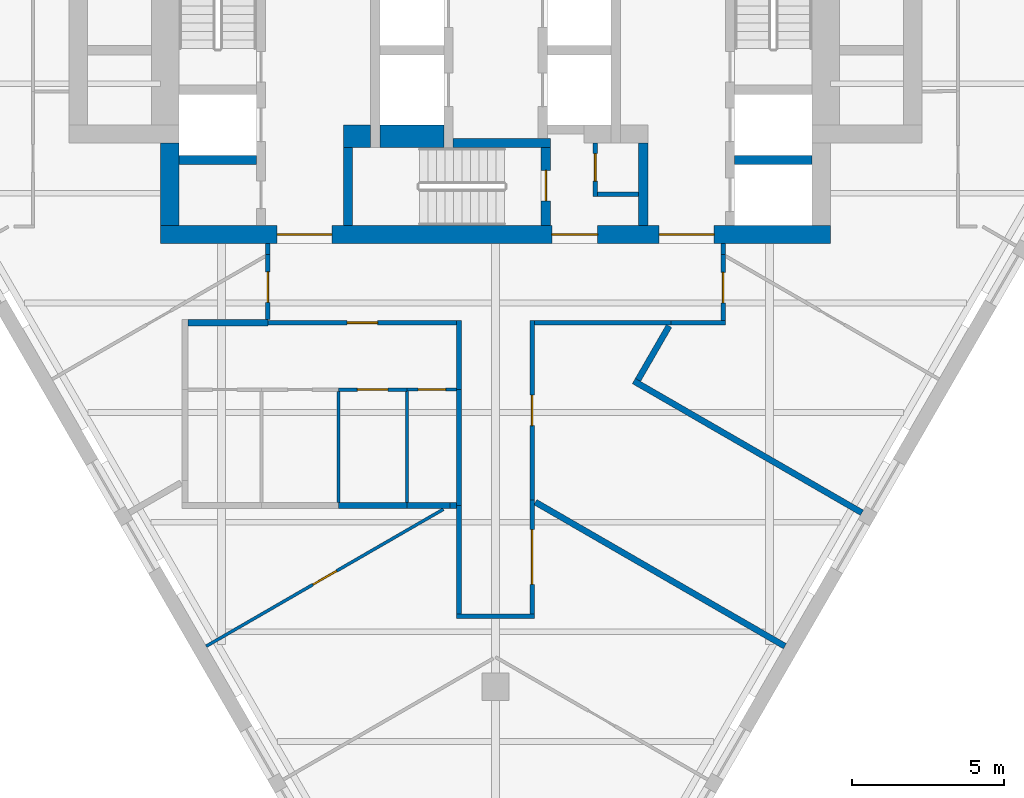
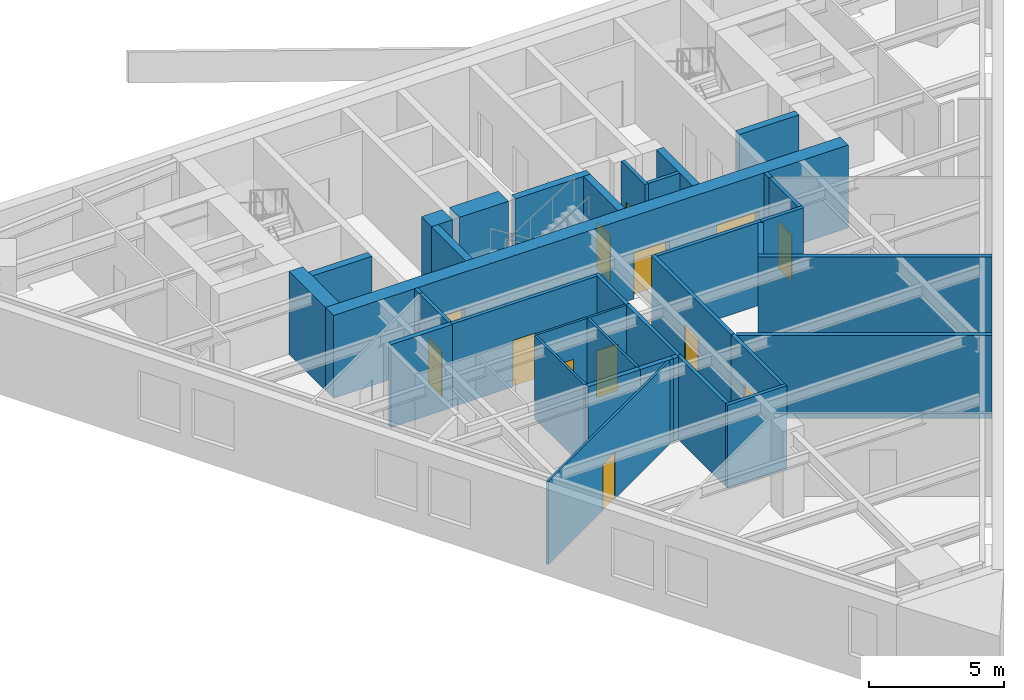
# One storey, part 3 of 7: 37 walls, 13 doors, 13 openings.
"""IFC4 building model written with IfcOpenShell, lengths in metres."""

from ifc_helpers import new_model, si_unit, direction, frame, frame_2d, origin, place, context, subcontext, project, spatial, rectangle, extrude, material, layer, layer_set, type_object, element, fill, save


model = new_model("IFC4")

# Units and contexts
model_context = context("Model", 3, precision=1e-05, world=origin(), true_north=direction((0.0, 1.0)))
body_context = subcontext(model_context, "Body", "Model", "MODEL_VIEW")
ifc_project = project(units=[si_unit("LENGTHUNIT", "METRE"), si_unit("AREAUNIT", "SQUARE_METRE"), si_unit("VOLUMEUNIT", "CUBIC_METRE"), si_unit("PLANEANGLEUNIT", "RADIAN"), si_unit("MASSUNIT", "GRAM", prefix="KILO")], contexts=[model_context])

# Site, building, storey
site_placement = place(None, origin())
site = spatial("IfcSite", under=ifc_project, at=site_placement, CompositionType="ELEMENT")
building_placement = place(site_placement, origin())
building = spatial("IfcBuilding", under=site, at=building_placement, Name="Aloe Facet Convention Tower", CompositionType="ELEMENT")
storey_placement = place(building_placement, frame((0.0, 0.0, 132.5)))
storey = spatial("IfcBuildingStorey", under=building, at=storey_placement, Name="L33", CompositionType="ELEMENT", Elevation=132.5)

# Wall, opening, door
ifc_material_1 = material(Name="Concrete blockwork partition", Category="masonry")
ifc_layer_1 = layer(ifc_material_1, 0.14990234375)
ifc_layer_set_1 = layer_set([ifc_layer_1], Name="CR-W-PART150")
wall_type_1 = type_object("IfcWallType", Name="CR-W-PART150", PredefinedType="PARTITIONING", material=ifc_layer_set_1)
wall_1_placement = place(storey_placement, frame((83.27490234375, 125.85009765625, 0.0), z_axis=(0.0, 0.0, 1.0), x_axis=(0.0, -1.0, 0.0)))
wall_1 = element("IfcWall", 1, at=wall_1_placement, inside=storey, type_object=wall_type_1, Name="Core partition L33-028", PredefinedType="PARTITIONING", context=body_context, shape_type="SweptSolid", body=[
    extrude(rectangle(XDim=1.75, YDim=0.14990234375, at=frame_2d((0.875, 0.0))), origin(), (0.0, 0.0, 1.0), 3.75),
])
opening_1_placement = place(wall_1_placement, frame((0.35009765625, 0.0, 0.0)))
opening_1 = element("IfcOpeningElement", 2, at=opening_1_placement, cuts=wall_1, Name="Opening L33-CD12", PredefinedType="OPENING", context=body_context, shape_type="SweptSolid", body=[
    extrude(rectangle(XDim=0.89990234375, YDim=2.10009765625, at=frame_2d((0.449951171875, 1.050048828125))), frame((0.0, 0.0849609375, 0.0), z_axis=(0.0, -1.0, 0.0), x_axis=(1.0, 0.0, 0.0)), (0.0, 0.0, 1.0), 0.169921875),
])
ifc_material_2 = material(Name="Steel fire-resisting door set FD60", Category="steel")
door_type_1 = type_object("IfcDoorType", Name="CR-D-REFUGE-900-FD60-SRIGHT", OperationType="SINGLE_SWING_RIGHT", PredefinedType="DOOR", material=ifc_material_2)
door_1_placement = place(opening_1_placement, origin())
door_1 = element("IfcDoor", 3, at=door_1_placement, inside=storey, type_object=door_type_1, Name="Core door L33-CD12", OperationType="SINGLE_SWING_RIGHT", OverallHeight=2.10009765625, OverallWidth=0.89990234375, PredefinedType="DOOR", context=body_context, shape_type="SweptSolid", body=[
    extrude(rectangle(XDim=0.89990234375, YDim=2.10009765625, at=frame_2d((0.449951171875, 1.050048828125))), frame((0.0, 0.02490234375, 0.0), z_axis=(0.0, -1.0, 0.0), x_axis=(1.0, 0.0, 0.0)), (0.0, 0.0, 1.0), 0.050048828125),
])
fill(opening_1, door_1)

# Walls
wall_2_placement = place(storey_placement, frame((83.35009765625, 124.175048828125, 0.0), z_axis=(0.0, 0.0, 1.0), x_axis=(1.0, 0.0, 0.0)))
element("IfcWall", 4, at=wall_2_placement, inside=storey, type_object=wall_type_1, Name="Core partition L33-029", PredefinedType="PARTITIONING", context=body_context, shape_type="SweptSolid", body=[
    extrude(rectangle(XDim=1.349853515625, YDim=0.14990234375, at=frame_2d((0.6748046875, 0.0))), origin(), (0.0, 0.0, 1.0), 3.75),
])
ifc_material_3 = material(Name="Concrete C60/75", Category="concrete")
ifc_layer_2 = layer(ifc_material_3, 0.300048828125)
ifc_layer_set_2 = layer_set([ifc_layer_2], Name="CR-W-RC300-C6075")
wall_type_2 = type_object("IfcWallType", Name="CR-W-RC300-C6075", PredefinedType="SOLIDWALL", material=ifc_layer_set_2)
wall_3_placement = place(storey_placement, frame((69.60009765625, 125.300048828125, 0.0), z_axis=(0.0, 0.0, 1.0), x_axis=(1.0, 0.0, 0.0)))
element("IfcWall", 5, at=wall_3_placement, inside=storey, type_object=wall_type_2, Name="Core wall L33-011", PredefinedType="SOLIDWALL", context=body_context, shape_type="SweptSolid", body=[
    extrude(rectangle(XDim=2.5498046875, YDim=0.300048828125, at=frame_2d((1.27490234375, 0.0))), origin(), (0.0, 0.0, 1.0), 3.75),
])
wall_4_placement = place(storey_placement, frame((75.14990234375, 125.699951171875, 0.0), z_axis=(0.0, 0.0, 1.0), x_axis=(0.0, -1.0, 0.0)))
element("IfcWall", 6, at=wall_4_placement, inside=storey, type_object=wall_type_2, Name="Core wall L33-015", PredefinedType="SOLIDWALL", context=body_context, shape_type="SweptSolid", body=[
    extrude(rectangle(XDim=2.550048828125, YDim=0.300048828125, at=frame_2d((1.27490234375, 0.0))), origin(), (0.0, 0.0, 1.0), 3.75),
])
wall_5_placement = place(storey_placement, frame((78.60009765625, 125.85009765625, 0.0), z_axis=(0.0, 0.0, 1.0), x_axis=(1.0, 0.0, 0.0)))
element("IfcWall", 7, at=wall_5_placement, inside=storey, type_object=wall_type_2, Name="Core wall L33-021", PredefinedType="SOLIDWALL", context=body_context, shape_type="SweptSolid", body=[
    extrude(rectangle(XDim=3.199951171875, YDim=0.300048828125, at=frame_2d((1.60009765625, 0.0))), origin(), (0.0, 0.0, 1.0), 3.75),
])

# Wall, opening, door
wall_6_placement = place(storey_placement, frame((81.64990234375, 125.699951171875, 0.0), z_axis=(0.0, 0.0, 1.0), x_axis=(0.0, -1.0, 0.0)))
wall_6 = element("IfcWall", 8, at=wall_6_placement, inside=storey, type_object=wall_type_2, Name="Core wall L33-023", PredefinedType="SOLIDWALL", context=body_context, shape_type="SweptSolid", body=[
    extrude(rectangle(XDim=2.550048828125, YDim=0.300048828125, at=frame_2d((1.27490234375, 0.0))), origin(), (0.0, 0.0, 1.0), 3.75),
])
opening_2_placement = place(wall_6_placement, frame((0.75, 0.0, 0.0)))
opening_2 = element("IfcOpeningElement", 9, at=opening_2_placement, cuts=wall_6, Name="Opening L33-CD18", PredefinedType="OPENING", context=body_context, shape_type="SweptSolid", body=[
    extrude(rectangle(XDim=1.0, YDim=2.10009765625, at=frame_2d((0.5, 1.050048828125))), frame((0.0, 0.16015625, 0.0), z_axis=(0.0, -1.0, 0.0), x_axis=(1.0, 0.0, 0.0)), (0.0, 0.0, 1.0), 0.320068359375),
])
ifc_material_4 = material(Name="Steel fire-resisting door set FD120", Category="steel")
door_type_2 = type_object("IfcDoorType", Name="CR-D-STAIR-1000-FD120-SLEFT", OperationType="SINGLE_SWING_LEFT", PredefinedType="DOOR", material=ifc_material_4)
door_2_placement = place(opening_2_placement, origin())
door_2 = element("IfcDoor", 10, at=door_2_placement, inside=storey, type_object=door_type_2, Name="Core door L33-CD18", OperationType="SINGLE_SWING_LEFT", OverallHeight=2.10009765625, OverallWidth=1.0, PredefinedType="DOOR", context=body_context, shape_type="SweptSolid", body=[
    extrude(rectangle(XDim=1.0, YDim=2.10009765625, at=frame_2d((0.5, 1.050048828125))), frame((0.0, 0.02490234375, 0.0), z_axis=(0.0, -1.0, 0.0), x_axis=(1.0, 0.0, 0.0)), (0.0, 0.0, 1.0), 0.050048828125),
])
fill(opening_2, door_2)

# Walls
wall_7_placement = place(storey_placement, frame((84.85009765625, 125.85009765625, 0.0), z_axis=(0.0, 0.0, 1.0), x_axis=(0.0, -1.0, 0.0)))
element("IfcWall", 11, at=wall_7_placement, inside=storey, type_object=wall_type_2, Name="Core wall L33-033", PredefinedType="SOLIDWALL", context=body_context, shape_type="SweptSolid", body=[
    extrude(rectangle(XDim=2.7001953125, YDim=0.300048828125, at=frame_2d((1.35009765625, 0.0))), origin(), (0.0, 0.0, 1.0), 3.75),
])
wall_8_placement = place(storey_placement, frame((87.85009765625, 125.300048828125, 0.0), z_axis=(0.0, 0.0, 1.0), x_axis=(1.0, 0.0, 0.0)))
element("IfcWall", 12, at=wall_8_placement, inside=storey, type_object=wall_type_2, Name="Core wall L33-036", PredefinedType="SOLIDWALL", context=body_context, shape_type="SweptSolid", body=[
    extrude(rectangle(XDim=2.5498046875, YDim=0.300048828125, at=frame_2d((1.27490234375, 0.0))), origin(), (0.0, 0.0, 1.0), 3.75),
])
ifc_material_5 = material(Name="Concrete C60/75", Category="concrete")
ifc_layer_3 = layer(ifc_material_5, 0.60009765625)
ifc_layer_set_3 = layer_set([ifc_layer_3], Name="CR-W-RC600-C6075")
wall_type_3 = type_object("IfcWallType", Name="CR-W-RC600-C6075", PredefinedType="SOLIDWALL", material=ifc_layer_set_3)
wall_9_placement = place(storey_placement, frame((69.300048828125, 125.85009765625, 0.0), z_axis=(0.0, 0.0, 1.0), x_axis=(0.0, -1.0, 0.0)))
element("IfcWall", 13, at=wall_9_placement, inside=storey, type_object=wall_type_3, Name="Core wall L33-008", PredefinedType="SOLIDWALL", context=body_context, shape_type="SweptSolid", body=[
    extrude(rectangle(XDim=2.7001953125, YDim=0.60009765625, at=frame_2d((1.35009765625, 0.0))), origin(), (0.0, 0.0, 1.0), 3.75),
])

# Wall, openings, doors
wall_10_placement = place(storey_placement, frame((69.0, 122.85009765625, 0.0), z_axis=(0.0, 0.0, 1.0), x_axis=(1.0, 0.0, 0.0)))
wall_10 = element("IfcWall", 14, at=wall_10_placement, inside=storey, type_object=wall_type_3, Name="Core wall L33-009", PredefinedType="SOLIDWALL", context=body_context, shape_type="SweptSolid", body=[
    extrude(rectangle(XDim=22.0, YDim=0.60009765625, at=frame_2d((11.0, 0.0))), origin(), (0.0, 0.0, 1.0), 3.75),
])
opening_3_placement = place(wall_10_placement, frame((16.375, 0.0, 0.0)))
opening_3 = element("IfcOpeningElement", 15, at=opening_3_placement, cuts=wall_10, Name="Opening L33-CD09", PredefinedType="OPENING", context=body_context, shape_type="SweptSolid", body=[
    extrude(rectangle(XDim=1.800048828125, YDim=2.10009765625, at=frame_2d((0.89990234375, 1.050048828125))), frame((0.0, 0.31005859375, 0.0), z_axis=(0.0, -1.0, 0.0), x_axis=(1.0, 0.0, 0.0)), (0.0, 0.0, 1.0), 0.6201171875),
])
opening_4_placement = place(wall_10_placement, frame((3.824951171875, 0.0, 0.0)))
opening_4 = element("IfcOpeningElement", 16, at=opening_4_placement, cuts=wall_10, Name="Opening L33-CD10", PredefinedType="OPENING", context=body_context, shape_type="SweptSolid", body=[
    extrude(rectangle(XDim=1.800048828125, YDim=2.10009765625, at=frame_2d((0.89990234375, 1.050048828125))), frame((0.0, 0.31005859375, 0.0), z_axis=(0.0, -1.0, 0.0), x_axis=(1.0, 0.0, 0.0)), (0.0, 0.0, 1.0), 0.6201171875),
])
opening_5_placement = place(wall_10_placement, frame((12.85009765625, 0.0, 0.0)))
opening_5 = element("IfcOpeningElement", 17, at=opening_5_placement, cuts=wall_10, Name="Opening L33-CD11", PredefinedType="OPENING", context=body_context, shape_type="SweptSolid", body=[
    extrude(rectangle(XDim=1.5, YDim=2.10009765625, at=frame_2d((0.75, 1.050048828125))), frame((0.0, 0.31005859375, 0.0), z_axis=(0.0, -1.0, 0.0), x_axis=(1.0, 0.0, 0.0)), (0.0, 0.0, 1.0), 0.6201171875),
])
ifc_material_6 = material(Name="Steel fire-resisting door set FD60", Category="steel")
door_type_3 = type_object("IfcDoorType", Name="CR-D-EXIT-1500-FD60-DD", OperationType="DOUBLE_DOOR_DOUBLE_SWING", PredefinedType="DOOR", material=ifc_material_6)
door_3_placement = place(opening_5_placement, origin())
door_3 = element("IfcDoor", 18, at=door_3_placement, inside=storey, type_object=door_type_3, Name="Core door L33-CD11", OperationType="DOUBLE_DOOR_DOUBLE_SWING", OverallHeight=2.10009765625, OverallWidth=1.5, PredefinedType="DOOR", context=body_context, shape_type="SweptSolid", body=[
    extrude(rectangle(XDim=1.5, YDim=2.10009765625, at=frame_2d((0.75, 1.050048828125))), frame((0.0, 0.02490234375, 0.0), z_axis=(0.0, -1.0, 0.0), x_axis=(1.0, 0.0, 0.0)), (0.0, 0.0, 1.0), 0.050048828125),
])
fill(opening_5, door_3)
ifc_material_7 = material(Name="Steel fire-resisting door set FD120", Category="steel")
door_type_4 = type_object("IfcDoorType", Name="CR-D-EXIT-1800-FD120-DD", OperationType="DOUBLE_DOOR_DOUBLE_SWING", PredefinedType="DOOR", material=ifc_material_7)
door_4_placement = place(opening_3_placement, origin())
door_4 = element("IfcDoor", 19, at=door_4_placement, inside=storey, type_object=door_type_4, Name="Core door L33-CD09", OperationType="DOUBLE_DOOR_DOUBLE_SWING", OverallHeight=2.10009765625, OverallWidth=1.800048828125, PredefinedType="DOOR", context=body_context, shape_type="SweptSolid", body=[
    extrude(rectangle(XDim=1.800048828125, YDim=2.10009765625, at=frame_2d((0.89990234375, 1.050048828125))), frame((0.0, 0.02490234375, 0.0), z_axis=(0.0, -1.0, 0.0), x_axis=(1.0, 0.0, 0.0)), (0.0, 0.0, 1.0), 0.050048828125),
])
fill(opening_3, door_4)
door_5_placement = place(opening_4_placement, origin())
door_5 = element("IfcDoor", 20, at=door_5_placement, inside=storey, type_object=door_type_4, Name="Core door L33-CD10", OperationType="DOUBLE_DOOR_DOUBLE_SWING", OverallHeight=2.10009765625, OverallWidth=1.800048828125, PredefinedType="DOOR", context=body_context, shape_type="SweptSolid", body=[
    extrude(rectangle(XDim=1.800048828125, YDim=2.10009765625, at=frame_2d((0.89990234375, 1.050048828125))), frame((0.0, 0.02490234375, 0.0), z_axis=(0.0, -1.0, 0.0), x_axis=(1.0, 0.0, 0.0)), (0.0, 0.0, 1.0), 0.050048828125),
])
fill(opening_4, door_5)

# Walls
ifc_material_8 = material(Name="Concrete C60/75", Category="concrete")
ifc_layer_4 = layer(ifc_material_8, 0.75)
ifc_layer_set_4 = layer_set([ifc_layer_4], Name="CR-W-RC750-C6075")
wall_type_4 = type_object("IfcWallType", Name="CR-W-RC750-C6075", PredefinedType="SOLIDWALL", material=ifc_layer_set_4)
wall_11_placement = place(storey_placement, frame((75.0, 126.074951171875, 0.0), z_axis=(0.0, 0.0, 1.0), x_axis=(1.0, 0.0, 0.0)))
element("IfcWall", 21, at=wall_11_placement, inside=storey, type_object=wall_type_4, Name="Core wall L33-014", PredefinedType="SOLIDWALL", context=body_context, shape_type="SweptSolid", body=[
    extrude(rectangle(XDim=0.89990234375, YDim=0.75, at=frame_2d((0.449951171875, 0.0))), origin(), (0.0, 0.0, 1.0), 3.75),
])
wall_12_placement = place(storey_placement, frame((76.199951171875, 126.074951171875, 0.0), z_axis=(0.0, 0.0, 1.0), x_axis=(1.0, 0.0, 0.0)))
element("IfcWall", 22, at=wall_12_placement, inside=storey, type_object=wall_type_4, Name="Core wall L33-019", PredefinedType="SOLIDWALL", context=body_context, shape_type="SweptSolid", body=[
    extrude(rectangle(XDim=2.10009765625, YDim=0.75, at=frame_2d((1.050048828125, 0.0))), origin(), (0.0, 0.0, 1.0), 3.75),
])
ifc_material_9 = material(Name="Gypsum board partition on steel studs", Category="steel")
ifc_layer_5 = layer(ifc_material_9, 0.14990234375)
ifc_layer_set_5 = layer_set([ifc_layer_5], Name="IN-W-CORR")
wall_type_5 = type_object("IfcWallType", Name="IN-W-CORR", PredefinedType="PARTITIONING", material=ifc_layer_set_5)
wall_13_placement = place(storey_placement, frame((78.72509765625, 110.313232421875, 0.0), z_axis=(0.0, 0.0, 1.0), x_axis=(1.0, 0.0, 0.0)))
element("IfcWall", 23, at=wall_13_placement, inside=storey, type_object=wall_type_5, Name="Partition L33-W004", PredefinedType="PARTITIONING", context=body_context, shape_type="SweptSolid", body=[
    extrude(rectangle(XDim=2.5498046875, YDim=0.14990234375, at=frame_2d((1.27490234375, 0.0))), origin(), (0.0, 0.0, 1.0), 3.75),
])

# Wall, opening, door
wall_14_placement = place(storey_placement, frame((81.199951171875, 110.38818359375, 0.0), z_axis=(0.0, 0.0, 1.0), x_axis=(0.0, 1.0, 0.0)))
wall_14 = element("IfcWall", 24, at=wall_14_placement, inside=storey, type_object=wall_type_5, Name="Partition L33-W005", PredefinedType="PARTITIONING", context=body_context, shape_type="SweptSolid", body=[
    extrude(rectangle(XDim=3.732177734375, YDim=0.14990234375, at=frame_2d((1.8662109375, 0.0))), origin(), (0.0, 0.0, 1.0), 3.75),
])
opening_6_placement = place(wall_14_placement, frame((0.966064453125, 0.0, 0.0)))
opening_6 = element("IfcOpeningElement", 25, at=opening_6_placement, cuts=wall_14, Name="Opening L33-017", PredefinedType="OPENING", context=body_context, shape_type="SweptSolid", body=[
    extrude(rectangle(XDim=1.800048828125, YDim=2.10009765625, at=frame_2d((0.89990234375, 1.050048828125))), frame((0.0, 0.0849609375, 0.0), z_axis=(0.0, -1.0, 0.0), x_axis=(1.0, 0.0, 0.0)), (0.0, 0.0, 1.0), 0.169921875),
])
ifc_material_10 = material(Name="Glazed timber door pair FD30S", Category="wood")
door_type_5 = type_object("IfcDoorType", Name="IN-OFF-D-SUITE", OperationType="DOUBLE_DOOR_SINGLE_SWING", PredefinedType="DOOR", material=ifc_material_10)
door_6_placement = place(opening_6_placement, origin())
door_6 = element("IfcDoor", 26, at=door_6_placement, inside=storey, type_object=door_type_5, Name="Door L33-017", OperationType="SINGLE_SWING_LEFT", OverallHeight=2.10009765625, OverallWidth=1.800048828125, PredefinedType="DOOR", context=body_context, shape_type="SweptSolid", body=[
    extrude(rectangle(XDim=1.800048828125, YDim=2.10009765625, at=frame_2d((0.89990234375, 1.050048828125))), frame((0.0, 0.02490234375, 0.0), z_axis=(0.0, -1.0, 0.0), x_axis=(1.0, 0.0, 0.0)), (0.0, 0.0, 1.0), 0.050048828125),
])
fill(opening_6, door_6)

# Walls
wall_15_placement = place(storey_placement, frame((78.800048828125, 110.38818359375, 0.0), z_axis=(0.0, 0.0, 1.0), x_axis=(0.0, 1.0, 0.0)))
element("IfcWall", 27, at=wall_15_placement, inside=storey, type_object=wall_type_5, Name="Partition L33-W013", PredefinedType="PARTITIONING", context=body_context, shape_type="SweptSolid", body=[
    extrude(rectangle(XDim=3.561767578125, YDim=0.14990234375, at=frame_2d((1.78076171875, 0.0))), origin(), (0.0, 0.0, 1.0), 3.75),
])
wall_16_placement = place(storey_placement, frame((78.800048828125, 113.949951171875, 0.0), z_axis=(0.0, 0.0, 1.0), x_axis=(0.0, 1.0, 0.0)))
element("IfcWall", 28, at=wall_16_placement, inside=storey, type_object=wall_type_5, Name="Partition L33-W014", PredefinedType="PARTITIONING", context=body_context, shape_type="SweptSolid", body=[
    extrude(rectangle(XDim=3.81005859375, YDim=0.14990234375, at=frame_2d((1.905029296875, 0.0))), origin(), (0.0, 0.0, 1.0), 3.75),
])
wall_17_placement = place(storey_placement, frame((78.800048828125, 117.760009765625, 0.0), z_axis=(0.0, 0.0, 1.0), x_axis=(0.0, 1.0, 0.0)))
element("IfcWall", 29, at=wall_17_placement, inside=storey, type_object=wall_type_5, Name="Partition L33-W017", PredefinedType="PARTITIONING", context=body_context, shape_type="SweptSolid", body=[
    extrude(rectangle(XDim=2.264892578125, YDim=0.14990234375, at=frame_2d((1.13232421875, 0.0))), origin(), (0.0, 0.0, 1.0), 3.75),
])

# Wall, opening, door
wall_18_placement = place(storey_placement, frame((72.52490234375, 120.050048828125, 0.0), z_axis=(0.0, 0.0, 1.0), x_axis=(0.0, 1.0, 0.0)))
wall_18 = element("IfcWall", 30, at=wall_18_placement, inside=storey, type_object=wall_type_5, Name="Partition L33-W031", PredefinedType="PARTITIONING", context=body_context, shape_type="SweptSolid", body=[
    extrude(rectangle(XDim=2.134765625, YDim=0.14990234375, at=frame_2d((1.0673828125, 0.0))), origin(), (0.0, 0.0, 1.0), 3.75),
])
opening_7_placement = place(wall_18_placement, frame((0.5673828125, 0.0, 0.0)))
opening_7 = element("IfcOpeningElement", 31, at=opening_7_placement, cuts=wall_18, Name="Opening L33-009", PredefinedType="OPENING", context=body_context, shape_type="SweptSolid", body=[
    extrude(rectangle(XDim=1.0, YDim=2.10009765625, at=frame_2d((0.5, 1.050048828125))), frame((0.0, 0.0849609375, 0.0), z_axis=(0.0, -1.0, 0.0), x_axis=(1.0, 0.0, 0.0)), (0.0, 0.0, 1.0), 0.169921875),
])
ifc_material_11 = material(Name="Timber door FD30S with vision panel", Category="wood")
door_type_6 = type_object("IfcDoorType", Name="IN-OFF-D-ENTRY", OperationType="SINGLE_SWING_LEFT", PredefinedType="DOOR", material=ifc_material_11)
door_7_placement = place(opening_7_placement, origin())
door_7 = element("IfcDoor", 32, at=door_7_placement, inside=storey, type_object=door_type_6, Name="Door L33-009", OperationType="SINGLE_SWING_LEFT", OverallHeight=2.10009765625, OverallWidth=1.0, PredefinedType="DOOR", context=body_context, shape_type="SweptSolid", body=[
    extrude(rectangle(XDim=1.0, YDim=2.10009765625, at=frame_2d((0.5, 1.050048828125))), frame((0.0, 0.02490234375, 0.0), z_axis=(0.0, -1.0, 0.0), x_axis=(1.0, 0.0, 0.0)), (0.0, 0.0, 1.0), 0.050048828125),
])
fill(opening_7, door_7)

wall_19_placement = place(storey_placement, frame((72.52490234375, 119.949951171875, 0.0), z_axis=(0.0, 0.0, 1.0), x_axis=(1.0, 0.0, 0.0)))
wall_19 = element("IfcWall", 33, at=wall_19_placement, inside=storey, type_object=wall_type_5, Name="Partition L33-W032", PredefinedType="PARTITIONING", context=body_context, shape_type="SweptSolid", body=[
    extrude(rectangle(XDim=6.2001953125, YDim=0.14990234375, at=frame_2d((3.10009765625, 0.0))), origin(), (0.0, 0.0, 1.0), 3.75),
])
opening_8_placement = place(wall_19_placement, frame((2.60009765625, 0.0, 0.0)))
opening_8 = element("IfcOpeningElement", 34, at=opening_8_placement, cuts=wall_19, Name="Opening L33-001", PredefinedType="OPENING", context=body_context, shape_type="SweptSolid", body=[
    extrude(rectangle(XDim=1.0, YDim=2.10009765625, at=frame_2d((0.5, 1.050048828125))), frame((0.0, 0.0849609375, 0.0), z_axis=(0.0, -1.0, 0.0), x_axis=(1.0, 0.0, 0.0)), (0.0, 0.0, 1.0), 0.169921875),
])
door_8_placement = place(opening_8_placement, origin())
door_8 = element("IfcDoor", 35, at=door_8_placement, inside=storey, type_object=door_type_6, Name="Door L33-001", OperationType="SINGLE_SWING_LEFT", OverallHeight=2.10009765625, OverallWidth=1.0, PredefinedType="DOOR", context=body_context, shape_type="SweptSolid", body=[
    extrude(rectangle(XDim=1.0, YDim=2.10009765625, at=frame_2d((0.5, 1.050048828125))), frame((0.0, 0.02490234375, 0.0), z_axis=(0.0, -1.0, 0.0), x_axis=(1.0, 0.0, 0.0)), (0.0, 0.0, 1.0), 0.050048828125),
])
fill(opening_8, door_8)

wall_20_placement = place(storey_placement, frame((81.199951171875, 114.120361328125, 0.0), z_axis=(0.0, 0.0, 1.0), x_axis=(0.0, 1.0, 0.0)))
wall_20 = element("IfcWall", 36, at=wall_20_placement, inside=storey, type_object=wall_type_5, Name="Partition L33-W033", PredefinedType="PARTITIONING", context=body_context, shape_type="SweptSolid", body=[
    extrude(rectangle(XDim=5.904541015625, YDim=0.14990234375, at=frame_2d((2.9521484375, 0.0))), origin(), (0.0, 0.0, 1.0), 3.75),
])
opening_9_placement = place(wall_20_placement, frame((2.452392578125, 0.0, 0.0)))
opening_9 = element("IfcOpeningElement", 37, at=opening_9_placement, cuts=wall_20, Name="Opening L33-011", PredefinedType="OPENING", context=body_context, shape_type="SweptSolid", body=[
    extrude(rectangle(XDim=1.0, YDim=2.10009765625, at=frame_2d((0.5, 1.050048828125))), frame((0.0, 0.0849609375, 0.0), z_axis=(0.0, -1.0, 0.0), x_axis=(1.0, 0.0, 0.0)), (0.0, 0.0, 1.0), 0.169921875),
])
door_9_placement = place(opening_9_placement, origin())
door_9 = element("IfcDoor", 38, at=door_9_placement, inside=storey, type_object=door_type_6, Name="Door L33-011", OperationType="SINGLE_SWING_LEFT", OverallHeight=2.10009765625, OverallWidth=1.0, PredefinedType="DOOR", context=body_context, shape_type="SweptSolid", body=[
    extrude(rectangle(XDim=1.0, YDim=2.10009765625, at=frame_2d((0.5, 1.050048828125))), frame((0.0, 0.02490234375, 0.0), z_axis=(0.0, -1.0, 0.0), x_axis=(1.0, 0.0, 0.0)), (0.0, 0.0, 1.0), 0.050048828125),
])
fill(opening_9, door_9)

# Walls
wall_21_placement = place(storey_placement, frame((81.27490234375, 119.949951171875, 0.0), z_axis=(0.0, 0.0, 1.0), x_axis=(1.0, 0.0, 0.0)))
element("IfcWall", 39, at=wall_21_placement, inside=storey, type_object=wall_type_5, Name="Partition L33-W034", PredefinedType="PARTITIONING", context=body_context, shape_type="SweptSolid", body=[
    extrude(rectangle(XDim=4.48681640625, YDim=0.14990234375, at=frame_2d((2.243408203125, 0.0))), origin(), (0.0, 0.0, 1.0), 3.75),
])
wall_22_placement = place(storey_placement, frame((85.76171875, 119.949951171875, 0.0), z_axis=(0.0, 0.0, 1.0), x_axis=(1.0, 0.0, 0.0)))
element("IfcWall", 40, at=wall_22_placement, inside=storey, type_object=wall_type_5, Name="Partition L33-W035", PredefinedType="PARTITIONING", context=body_context, shape_type="SweptSolid", body=[
    extrude(rectangle(XDim=1.788330078125, YDim=0.14990234375, at=frame_2d((0.89404296875, 0.0))), origin(), (0.0, 0.0, 1.0), 3.75),
])
wall_23_placement = place(storey_placement, frame((72.52490234375, 122.184814453125, 0.0), z_axis=(0.0, 0.0, 1.0), x_axis=(0.0, 1.0, 0.0)))
element("IfcWall", 41, at=wall_23_placement, inside=storey, type_object=wall_type_5, Name="Partition L33-W036", PredefinedType="PARTITIONING", context=body_context, shape_type="SweptSolid", body=[
    extrude(rectangle(XDim=0.365234375, YDim=0.14990234375, at=frame_2d((0.1826171875, 0.0))), origin(), (0.0, 0.0, 1.0), 3.75),
])

# Wall, opening, door
wall_24_placement = place(storey_placement, frame((87.47509765625, 120.02490234375, 0.0), z_axis=(0.0, 0.0, 1.0), x_axis=(0.0, 1.0, 0.0)))
wall_24 = element("IfcWall", 42, at=wall_24_placement, inside=storey, type_object=wall_type_5, Name="Partition L33-W037", PredefinedType="PARTITIONING", context=body_context, shape_type="SweptSolid", body=[
    extrude(rectangle(XDim=2.159912109375, YDim=0.14990234375, at=frame_2d((1.080078125, 0.0))), origin(), (0.0, 0.0, 1.0), 3.75),
])
opening_10_placement = place(wall_24_placement, frame((0.579833984375, 0.0, 0.0)))
opening_10 = element("IfcOpeningElement", 43, at=opening_10_placement, cuts=wall_24, Name="Opening L33-012", PredefinedType="OPENING", context=body_context, shape_type="SweptSolid", body=[
    extrude(rectangle(XDim=1.0, YDim=2.10009765625, at=frame_2d((0.5, 1.050048828125))), frame((0.0, 0.0849609375, 0.0), z_axis=(0.0, -1.0, 0.0), x_axis=(1.0, 0.0, 0.0)), (0.0, 0.0, 1.0), 0.169921875),
])
door_10_placement = place(opening_10_placement, origin())
door_10 = element("IfcDoor", 44, at=door_10_placement, inside=storey, type_object=door_type_6, Name="Door L33-012", OperationType="SINGLE_SWING_LEFT", OverallHeight=2.10009765625, OverallWidth=1.0, PredefinedType="DOOR", context=body_context, shape_type="SweptSolid", body=[
    extrude(rectangle(XDim=1.0, YDim=2.10009765625, at=frame_2d((0.5, 1.050048828125))), frame((0.0, 0.02490234375, 0.0), z_axis=(0.0, -1.0, 0.0), x_axis=(1.0, 0.0, 0.0)), (0.0, 0.0, 1.0), 0.050048828125),
])
fill(opening_10, door_10)

# Wall
wall_25_placement = place(storey_placement, frame((87.47509765625, 122.184814453125, 0.0), z_axis=(0.0, 0.0, 1.0), x_axis=(0.0, 1.0, 0.0)))
element("IfcWall", 45, at=wall_25_placement, inside=storey, type_object=wall_type_5, Name="Partition L33-W039", PredefinedType="PARTITIONING", context=body_context, shape_type="SweptSolid", body=[
    extrude(rectangle(XDim=0.365234375, YDim=0.14990234375, at=frame_2d((0.1826171875, 0.0))), origin(), (0.0, 0.0, 1.0), 3.75),
])

# Wall, opening, door
ifc_material_12 = material(Name="Gypsum board partition on steel studs", Category="steel")
ifc_layer_6 = layer(ifc_material_12, 0.10009765625)
ifc_layer_set_6 = layer_set([ifc_layer_6], Name="IN-W-PART")
wall_type_6 = type_object("IfcWallType", Name="IN-W-PART", PredefinedType="PARTITIONING", material=ifc_layer_set_6)
wall_26_placement = place(storey_placement, frame((70.49853515625, 109.327392578125, 0.0), z_axis=(0.0, 0.0, 1.0), x_axis=(0.866019704065, 0.500009872074, 0.0)))
wall_26 = element("IfcWall", 46, at=wall_26_placement, inside=storey, type_object=wall_type_6, Name="Partition L33-W003", PredefinedType="PARTITIONING", context=body_context, shape_type="SweptSolid", body=[
    extrude(rectangle(XDim=8.994873046875, YDim=0.10009765625, at=frame_2d((4.49755859375, 0.0))), origin(), (0.0, 0.0, 1.0), 3.75),
])
opening_11_placement = place(wall_26_placement, frame((4.047607421875, 0.0, 0.0)))
opening_11 = element("IfcOpeningElement", 47, at=opening_11_placement, cuts=wall_26, Name="Opening L33-010", PredefinedType="OPENING", context=body_context, shape_type="SweptSolid", body=[
    extrude(rectangle(XDim=0.89990234375, YDim=2.10009765625, at=frame_2d((0.449951171875, 1.050048828125))), frame((0.0, 0.06005859375, 0.0), z_axis=(0.0, -1.0, 0.0), x_axis=(1.0, 0.0, 0.0)), (0.0, 0.0, 1.0), 0.1201171875),
])
ifc_material_13 = material(Name="Timber door", Category="wood")
door_type_7 = type_object("IfcDoorType", Name="IN-OFF-D-ROOM", OperationType="SINGLE_SWING_LEFT", PredefinedType="DOOR", material=ifc_material_13)
door_11_placement = place(opening_11_placement, origin())
door_11 = element("IfcDoor", 48, at=door_11_placement, inside=storey, type_object=door_type_7, Name="Door L33-010", OperationType="SINGLE_SWING_LEFT", OverallHeight=2.10009765625, OverallWidth=0.89990234375, PredefinedType="DOOR", context=body_context, shape_type="SweptSolid", body=[
    extrude(rectangle(XDim=0.89990234375, YDim=2.10009765625, at=frame_2d((0.449951171875, 1.050048828125))), frame((0.0, 0.02490234375, 0.0), z_axis=(0.0, -1.0, 0.0), x_axis=(1.0, 0.0, 0.0)), (0.0, 0.0, 1.0), 0.050048828125),
])
fill(opening_11, door_11)

# Walls
for number, where, z_axis, x_axis, name in (
    (49, (74.849853515625, 114.050048828125, 0.0), (0.0, 0.0, 1.0), (-0.002675575707, 0.999996420641, 0.0), "Partition L33-W020"),
    (50, (77.099853515625, 114.050048828125, 0.0), (0.0, 0.0, 1.0), (-0.002675575707, 0.999996420641, 0.0), "Partition L33-W022"),
):
    element("IfcWall", number, at=place(storey_placement, frame(where, z_axis=z_axis, x_axis=x_axis)), inside=storey, type_object=wall_type_6, Name=name, PredefinedType="PARTITIONING", context=body_context, shape_type="SweptSolid", body=[
        extrude(rectangle(XDim=3.64990234375, YDim=0.10009765625, at=frame_2d((1.824951171875, 0.0))), origin(), (0.0, 0.0, 1.0), 3.75),
    ])

# Wall, opening, door
wall_27_placement = place(storey_placement, frame((74.840087890625, 117.75, 0.0), z_axis=(0.0, 0.0, 1.0), x_axis=(1.0, 0.0, 0.0)))
wall_27 = element("IfcWall", 51, at=wall_27_placement, inside=storey, type_object=wall_type_6, Name="Partition L33-W023", PredefinedType="PARTITIONING", context=body_context, shape_type="SweptSolid", body=[
    extrude(rectangle(XDim=2.25, YDim=0.10009765625, at=frame_2d((1.125, 0.0))), origin(), (0.0, 0.0, 1.0), 3.75),
])
opening_12_placement = place(wall_27_placement, frame((0.625, 0.0, 0.0)))
opening_12 = element("IfcOpeningElement", 52, at=opening_12_placement, cuts=wall_27, Name="Opening L33-004", PredefinedType="OPENING", context=body_context, shape_type="SweptSolid", body=[
    extrude(rectangle(XDim=1.0, YDim=2.10009765625, at=frame_2d((0.5, 1.050048828125))), frame((0.0, 0.06005859375, 0.0), z_axis=(0.0, -1.0, 0.0), x_axis=(1.0, 0.0, 0.0)), (0.0, 0.0, 1.0), 0.1201171875),
])
ifc_material_14 = material(Name="Timber door", Category="wood")
door_type_8 = type_object("IfcDoorType", Name="IN-OFF-D-WIDE", OperationType="SINGLE_SWING_LEFT", PredefinedType="DOOR", material=ifc_material_14)
door_12_placement = place(opening_12_placement, origin())
door_12 = element("IfcDoor", 53, at=door_12_placement, inside=storey, type_object=door_type_8, Name="Door L33-004", OperationType="SINGLE_SWING_LEFT", OverallHeight=2.10009765625, OverallWidth=1.0, PredefinedType="DOOR", context=body_context, shape_type="SweptSolid", body=[
    extrude(rectangle(XDim=1.0, YDim=2.10009765625, at=frame_2d((0.5, 1.050048828125))), frame((0.0, 0.02490234375, 0.0), z_axis=(0.0, -1.0, 0.0), x_axis=(1.0, 0.0, 0.0)), (0.0, 0.0, 1.0), 0.050048828125),
])
fill(opening_12, door_12)

wall_28_placement = place(storey_placement, frame((77.090087890625, 117.75, 0.0), z_axis=(0.0, 0.0, 1.0), x_axis=(0.999983043837, 0.005823404317, 0.0)))
wall_28 = element("IfcWall", 54, at=wall_28_placement, inside=storey, type_object=wall_type_6, Name="Partition L33-W024", PredefinedType="PARTITIONING", context=body_context, shape_type="SweptSolid", body=[
    extrude(rectangle(XDim=1.635009765625, YDim=0.10009765625, at=frame_2d((0.8173828125, 0.0))), origin(), (0.0, 0.0, 1.0), 3.75),
])
opening_13_placement = place(wall_28_placement, frame((0.367431640625, 0.0, 0.0)))
opening_13 = element("IfcOpeningElement", 55, at=opening_13_placement, cuts=wall_28, Name="Opening L33-005", PredefinedType="OPENING", context=body_context, shape_type="SweptSolid", body=[
    extrude(rectangle(XDim=0.89990234375, YDim=2.10009765625, at=frame_2d((0.449951171875, 1.050048828125))), frame((0.0, 0.06005859375, 0.0), z_axis=(0.0, -1.0, 0.0), x_axis=(1.0, 0.0, 0.0)), (0.0, 0.0, 1.0), 0.1201171875),
])
door_13_placement = place(opening_13_placement, origin())
door_13 = element("IfcDoor", 56, at=door_13_placement, inside=storey, type_object=door_type_7, Name="Door L33-005", OperationType="SINGLE_SWING_LEFT", OverallHeight=2.10009765625, OverallWidth=0.89990234375, PredefinedType="DOOR", context=body_context, shape_type="SweptSolid", body=[
    extrude(rectangle(XDim=0.89990234375, YDim=2.10009765625, at=frame_2d((0.449951171875, 1.050048828125))), frame((0.0, 0.02490234375, 0.0), z_axis=(0.0, -1.0, 0.0), x_axis=(1.0, 0.0, 0.0)), (0.0, 0.0, 1.0), 0.050048828125),
])
fill(opening_13, door_13)

# Walls
ifc_material_15 = material(Name="Gypsum board partition on steel studs", Category="steel")
ifc_layer_7 = layer(ifc_material_15, 0.199951171875)
ifc_layer_set_7 = layer_set([ifc_layer_7], Name="IN-W-PARTY")
wall_type_7 = type_object("IfcWallType", Name="IN-W-PARTY", PredefinedType="PARTITIONING", material=ifc_layer_set_7)
wall_29_placement = place(storey_placement, frame((84.540771484375, 118.03515625, 0.0), z_axis=(0.0, 0.0, 1.0), x_axis=(0.866023427642, -0.500003422764, 0.0)))
element("IfcWall", 57, at=wall_29_placement, inside=storey, type_object=wall_type_7, Name="Partition L33-W007", PredefinedType="PARTITIONING", context=body_context, shape_type="SweptSolid", body=[
    extrude(rectangle(XDim=8.64990234375, YDim=0.199951171875, at=frame_2d((4.324951171875, 0.0))), origin(), (0.0, 0.0, 1.0), 3.75),
])
wall_30_placement = place(storey_placement, frame((74.85009765625, 113.949951171875, 0.0), z_axis=(0.0, 0.0, 1.0), x_axis=(1.0, 0.0, 0.0)))
element("IfcWall", 58, at=wall_30_placement, inside=storey, type_object=wall_type_7, Name="Partition L33-W010", PredefinedType="PARTITIONING", context=body_context, shape_type="SweptSolid", body=[
    extrude(rectangle(XDim=2.25, YDim=0.199951171875, at=frame_2d((1.125, 0.0))), origin(), (0.0, 0.0, 1.0), 3.75),
])
wall_31_placement = place(storey_placement, frame((77.10009765625, 113.949951171875, 0.0), z_axis=(0.0, 0.0, 1.0), x_axis=(1.0, 0.0, 0.0)))
element("IfcWall", 59, at=wall_31_placement, inside=storey, type_object=wall_type_7, Name="Partition L33-W011", PredefinedType="PARTITIONING", context=body_context, shape_type="SweptSolid", body=[
    extrude(rectangle(XDim=1.40478515625, YDim=0.199951171875, at=frame_2d((0.702392578125, 0.0))), origin(), (0.0, 0.0, 1.0), 3.75),
])
wall_32_placement = place(storey_placement, frame((78.5048828125, 113.949951171875, 0.0), z_axis=(0.0, 0.0, 1.0), x_axis=(1.0, 0.0, 0.0)))
element("IfcWall", 60, at=wall_32_placement, inside=storey, type_object=wall_type_7, Name="Partition L33-W012", PredefinedType="PARTITIONING", context=body_context, shape_type="SweptSolid", body=[
    extrude(rectangle(XDim=0.22021484375, YDim=0.199951171875, at=frame_2d((0.110107421875, 0.0))), origin(), (0.0, 0.0, 1.0), 3.75),
])
wall_33_placement = place(storey_placement, frame((81.308349609375, 114.057861328125, 0.0), z_axis=(0.0, 0.0, 1.0), x_axis=(0.866017555821, -0.500013592824, 0.0)))
element("IfcWall", 61, at=wall_33_placement, inside=storey, type_object=wall_type_7, Name="Partition L33-W015", PredefinedType="PARTITIONING", context=body_context, shape_type="SweptSolid", body=[
    extrude(rectangle(XDim=9.460693359375, YDim=0.199951171875, at=frame_2d((4.73046875, 0.0))), origin(), (0.0, 0.0, 1.0), 3.75),
])
wall_34_placement = place(storey_placement, frame((84.67724609375, 118.07177734375, 0.0), z_axis=(0.0, 0.0, 1.0), x_axis=(0.500018862428, 0.866014513283, 0.0)))
element("IfcWall", 62, at=wall_34_placement, inside=storey, type_object=wall_type_7, Name="Partition L33-W026", PredefinedType="PARTITIONING", context=body_context, shape_type="SweptSolid", body=[
    extrude(rectangle(XDim=2.0439453125, YDim=0.199951171875, at=frame_2d((1.02197265625, 0.0))), origin(), (0.0, 0.0, 1.0), 3.75),
])
wall_35_placement = place(storey_placement, frame((69.89990234375, 119.949951171875, 0.0), z_axis=(0.0, 0.0, 1.0), x_axis=(1.0, 0.0, 0.0)))
element("IfcWall", 63, at=wall_35_placement, inside=storey, type_object=wall_type_7, Name="Partition L33-W030", PredefinedType="PARTITIONING", context=body_context, shape_type="SweptSolid", body=[
    extrude(rectangle(XDim=2.625, YDim=0.199951171875, at=frame_2d((1.3125, 0.0))), origin(), (0.0, 0.0, 1.0), 3.75),
])

save(model, "model.ifc")
